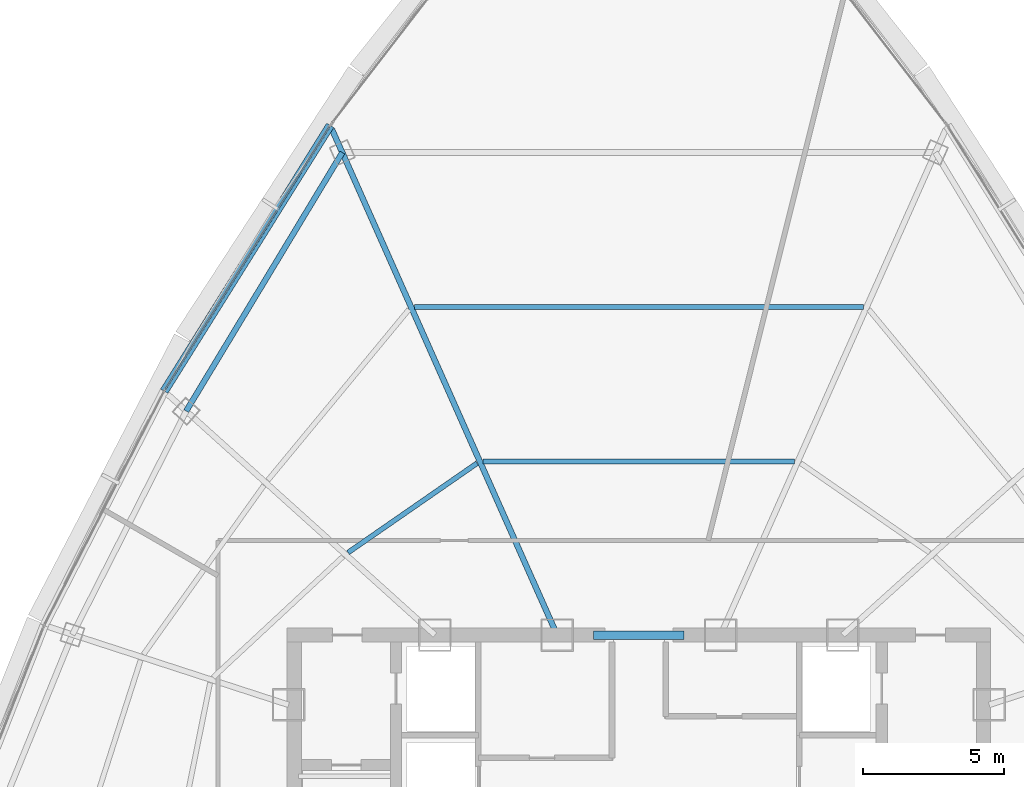
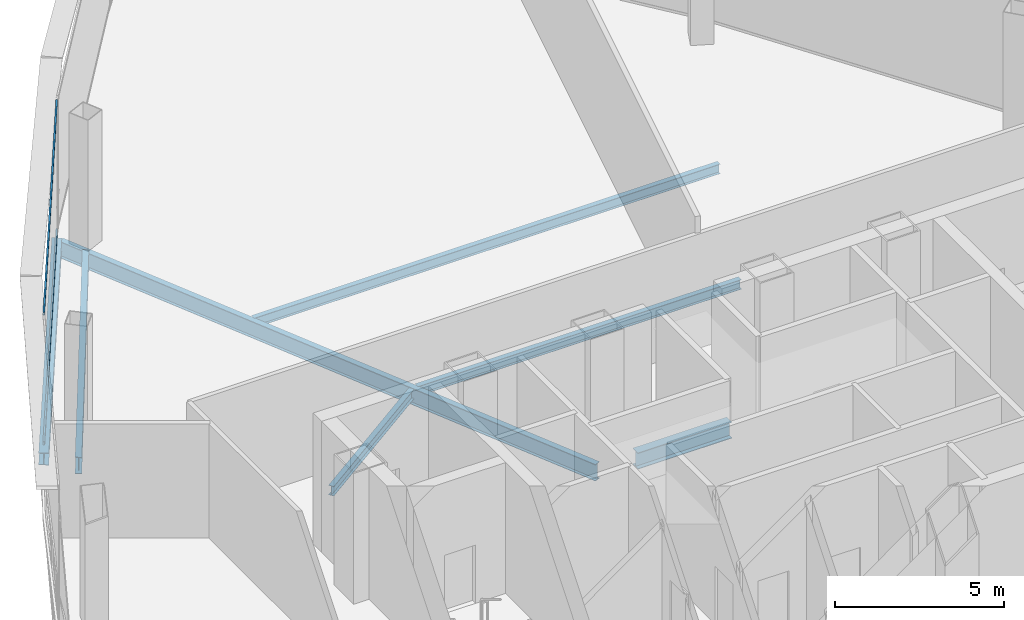
# One storey, part 9 of 29: 7 beams, 2 members, 1 element without a shape of its own.
"""IFC4 building model written with IfcOpenShell, lengths in metres."""

from ifc_helpers import new_model, si_unit, direction, frame, origin, origin_2d, place, context, subcontext, project, spatial, hollow_rectangle, i_section, extrude, source, transform, mapped, material, layer, layer_set, material_profile, profile_set, type_object, element, aggregate, save


model = new_model("IFC4")

# Units and contexts
model_context = context("Model", 3, precision=1e-05, world=origin(), true_north=direction((0.0, 1.0)))
body_context = subcontext(model_context, "Body", "Model", "MODEL_VIEW")
ifc_project = project(units=[si_unit("LENGTHUNIT", "METRE"), si_unit("AREAUNIT", "SQUARE_METRE"), si_unit("VOLUMEUNIT", "CUBIC_METRE"), si_unit("PLANEANGLEUNIT", "RADIAN"), si_unit("MASSUNIT", "GRAM", prefix="KILO"), si_unit("THERMODYNAMICTEMPERATUREUNIT", "KELVIN"), si_unit("POWERUNIT", "WATT")], contexts=[model_context])

# Site, building, storey
site_placement = place(None, origin())
site = spatial("IfcSite", under=ifc_project, at=site_placement, CompositionType="ELEMENT")
building_placement = place(site_placement, origin())
building = spatial("IfcBuilding", under=site, at=building_placement, Name="Yunzhuo Pagoda Commons", CompositionType="ELEMENT")
storey_placement = place(building_placement, frame((0.0, 0.0, 366.760009765625)))
storey = spatial("IfcBuildingStorey", under=building, at=storey_placement, Name="L92", CompositionType="ELEMENT", Elevation=366.760009765625)

# Beams
ifc_material_1 = material(Name="Structural steel Q420B", Category="steel")
ifc_material_profile_1 = material_profile(ifc_material_1, i_section(OverallWidth=0.300048828125, OverallDepth=0.587890625, WebThickness=0.011962890625, FlangeThickness=0.02001953125, at=origin_2d()), Name="Structural steel Q420B")
ifc_profile_set_1 = profile_set([ifc_material_profile_1], Name="Structural steel Q420B")
beam_type_1 = type_object("IfcBeamType", Name="B-CPL Beam HM 588x300x12x20", PredefinedType="BEAM", material=ifc_profile_set_1)
shared_shape_1 = source(origin(), body_context, "Body", "SweptSolid", [
    extrude(i_section(OverallWidth=0.300048828125, OverallDepth=0.587890625, WebThickness=0.011962890625, FlangeThickness=0.02001953125, at=origin_2d()), origin(), (0.0, 0.0, 1.0), 3.2001953125),
])
beam_1_placement = place(storey_placement, frame((46.39990234375, 40.199951171875, -0.573974609375), z_axis=(1.0, 0.0, 0.0), x_axis=(0.0, 1.0, 0.0)))
element("IfcBeam", 1, at=beam_1_placement, inside=storey, type_object=beam_type_1, Name="L92 core coupling girder", PredefinedType="BEAM", context=body_context, shape_type="MappedRepresentation", body=[
    mapped(shared_shape_1, transform((0.0, 0.0, 0.0), scale=1.0)),
])
ifc_material_2 = material(Name="Structural steel Q355B", Category="steel")
ifc_material_profile_2 = material_profile(ifc_material_2, i_section(OverallWidth=0.199951171875, OverallDepth=0.60009765625, WebThickness=0.010986328125, FlangeThickness=0.01708984375, at=origin_2d()), Name="Structural steel Q355B")
ifc_profile_set_2 = profile_set([ifc_material_profile_2], Name="Structural steel Q355B")
beam_type_2 = type_object("IfcBeamType", Name="B-RG3 Beam HN 600x200x11x17", PredefinedType="BEAM", material=ifc_profile_set_2)
shared_shape_2 = source(origin(), body_context, "Body", "SweptSolid", [
    extrude(i_section(OverallWidth=0.199951171875, OverallDepth=0.60009765625, WebThickness=0.010986328125, FlangeThickness=0.01708984375, at=origin_2d()), origin(), (0.0, 0.0, 1.0), 10.691162109375),
])
beam_2_placement = place(storey_placement, frame((37.501220703125, 57.281005859375, -0.580078125), z_axis=(-0.516864678433, -0.856067114301, 0.0), x_axis=(0.856067114301, -0.516864678433, 0.0)))
element("IfcBeam", 2, at=beam_2_placement, inside=storey, type_object=beam_type_2, Name="L92 column-ring beam 9", PredefinedType="BEAM", context=body_context, shape_type="MappedRepresentation", body=[
    mapped(shared_shape_2, transform((0.0, 0.0, 0.0), scale=1.0)),
])
ifc_material_profile_3 = material_profile(ifc_material_2, i_section(OverallWidth=0.175048828125, OverallDepth=0.35009765625, WebThickness=0.007080078125, FlangeThickness=0.010986328125, at=origin_2d()), Name="Structural steel Q355B")
ifc_profile_set_3 = profile_set([ifc_material_profile_3], Name="Structural steel Q355B")
beam_type_3 = type_object("IfcBeamType", Name="B-JS2 Joist HN 350x175x7x11", PredefinedType="JOIST", material=ifc_profile_set_3)
shared_shape_3 = source(origin(), body_context, "Body", "SweptSolid", [
    extrude(i_section(OverallWidth=0.175048828125, OverallDepth=0.35009765625, WebThickness=0.007080078125, FlangeThickness=0.010986328125, at=origin_2d()), origin(), (0.0, 0.0, 1.0), 5.556640625),
])
beam_3_placement = place(storey_placement, frame((42.273681640625, 46.28369140625, -0.455078125), z_axis=(-0.822084621883, -0.569365326011, 0.0), x_axis=(0.569365326011, -0.822084621883, 0.0)))
element("IfcBeam", 3, at=beam_3_placement, inside=storey, type_object=beam_type_3, Name="L92 composite ring joist 1.9", PredefinedType="JOIST", context=body_context, shape_type="MappedRepresentation", body=[
    mapped(shared_shape_3, transform((0.0, 0.0, 0.0), scale=1.0)),
])
shared_shape_4 = source(origin(), body_context, "Body", "SweptSolid", [
    extrude(i_section(OverallWidth=0.175048828125, OverallDepth=0.35009765625, WebThickness=0.007080078125, FlangeThickness=0.010986328125, at=origin_2d()), origin(), (0.0, 0.0, 1.0), 11.03369140625),
])
beam_4_placement = place(storey_placement, frame((53.516845703125, 46.34912109375, -0.455078125), z_axis=(-1.0, 0.0, 0.0), x_axis=(0.0, -1.0, 0.0)))
element("IfcBeam", 4, at=beam_4_placement, inside=storey, type_object=beam_type_3, Name="L92 composite ring joist 1.8", PredefinedType="JOIST", context=body_context, shape_type="MappedRepresentation", body=[
    mapped(shared_shape_4, transform((0.0, 0.0, 0.0), scale=1.0)),
])
shared_shape_5 = source(origin(), body_context, "Body", "SweptSolid", [
    extrude(i_section(OverallWidth=0.175048828125, OverallDepth=0.35009765625, WebThickness=0.007080078125, FlangeThickness=0.010986328125, at=origin_2d()), origin(), (0.0, 0.0, 1.0), 15.900390625),
])
beam_5_placement = place(storey_placement, frame((55.9501953125, 51.81494140625, -0.455078125), z_axis=(-1.0, 0.0, 0.0), x_axis=(0.0, -1.0, 0.0)))
element("IfcBeam", 5, at=beam_5_placement, inside=storey, type_object=beam_type_3, Name="L92 composite ring joist 2.8", PredefinedType="JOIST", context=body_context, shape_type="MappedRepresentation", body=[
    mapped(shared_shape_5, transform((0.0, 0.0, 0.0), scale=1.0)),
])
shared_shape_6 = source(origin(), body_context, "Body", "SweptSolid", [
    extrude(i_section(OverallWidth=0.199951171875, OverallDepth=0.60009765625, WebThickness=0.010986328125, FlangeThickness=0.01708984375, at=origin_2d()), origin(), (0.0, 0.0, 1.0), 19.59228515625),
])
beam_6_placement = place(storey_placement, frame((37.13720703125, 58.098388671875, -0.580078125), z_axis=(0.406730347382, -0.91354826064, 0.0), x_axis=(0.91354826064, 0.406730347382, 0.0)))
element("IfcBeam", 6, at=beam_6_placement, inside=storey, type_object=beam_type_2, Name="L92 radial floor girder F3C1", PredefinedType="BEAM", context=body_context, shape_type="MappedRepresentation", body=[
    mapped(shared_shape_6, transform((0.0, 0.0, 0.0), scale=1.0)),
])
ifc_material_profile_4 = material_profile(ifc_material_2, i_section(OverallWidth=0.300048828125, OverallDepth=0.43994140625, WebThickness=0.010986328125, FlangeThickness=0.01806640625, at=origin_2d()), Name="Structural steel Q355B")
ifc_profile_set_4 = profile_set([ifc_material_profile_4], Name="Structural steel Q355B")
beam_type_4 = type_object("IfcBeamType", Name="B-SP2 Beam HM 440x300x11x18", PredefinedType="BEAM", material=ifc_profile_set_4)
shared_shape_7 = source(origin(), body_context, "Body", "SweptSolid", [
    extrude(i_section(OverallWidth=0.300048828125, OverallDepth=0.43994140625, WebThickness=0.010986328125, FlangeThickness=0.01806640625, at=origin_2d()), origin(), (0.0, 0.0, 1.0), 11.094482421875),
])
beam_7_placement = place(storey_placement, frame((37.07421875, 58.239990234375, -0.5), z_axis=(-0.529915860294, -0.848050223164, 0.0), x_axis=(0.848050223164, -0.529915860294, 0.0)))
element("IfcBeam", 7, at=beam_7_placement, inside=storey, type_object=beam_type_4, Name="L92 facade edge spandrel beam F3.1", PredefinedType="BEAM", context=body_context, shape_type="MappedRepresentation", body=[
    mapped(shared_shape_7, transform((0.0, 0.0, 0.0), scale=1.0)),
])

# Curtain wall, members
ifc_material_3 = material(Name="Anodized aluminium 6063-T6", Category="aluminium")
ifc_layer = layer(ifc_material_3, 0.139892578125)
ifc_layer_set = layer_set([ifc_layer], Name="Anodized aluminium 6063-T6")
curtain_wall_type = type_object("IfcCurtainWallType", Name="CW-HI High-Zone Ribbon Curtain Wall", PredefinedType="NOTDEFINED", material=ifc_layer_set)
curtain_wall_placement = place(storey_placement, origin())
curtain_wall = element("IfcCurtainWall", 8, at=curtain_wall_placement, inside=storey, type_object=curtain_wall_type, Name="L92 curtain wall CW-L92-F3B2", PredefinedType="NOTDEFINED")
ifc_material_profile_5 = material_profile(ifc_material_3, hollow_rectangle(XDim=0.054931640625, YDim=0.1201171875, WallThickness=0.00341796875, at=origin_2d()), Name="Anodized aluminium 6063-T6")
ifc_profile_set_5 = profile_set([ifc_material_profile_5], Name="Anodized aluminium 6063-T6")
member_type = type_object("IfcMemberType", Name="CW-HI-T Transom RHS 120x55x3.5", PredefinedType="USERDEFINED", material=ifc_profile_set_5)
shared_shape_8 = source(origin(), body_context, "Body", "SweptSolid", [
    extrude(hollow_rectangle(XDim=0.054931640625, YDim=0.1201171875, WallThickness=0.00341796875, at=origin_2d()), origin(), (0.0, 0.0, 1.0), 10.974609375),
])
member_1_placement = place(storey_placement, frame((37.042236328125, 58.189208984375, 0.027587890625), z_axis=(-0.529898954441, -0.848060786785, 0.0), x_axis=(0.848060786785, -0.529898954441, 0.0)))
member_1 = element("IfcMember", 9, at=member_1_placement, type_object=member_type, Name="CW transom 1.1", ObjectType="TRANSOM", PredefinedType="USERDEFINED", context=body_context, shape_type="MappedRepresentation", body=[
    mapped(shared_shape_8, transform((0.0, 0.0, 0.0), scale=1.0)),
])
member_2_placement = place(storey_placement, frame((37.042236328125, 58.189208984375, 4.6923828125), z_axis=(-0.529898954441, -0.848060786785, 0.0), x_axis=(0.848060786785, -0.529898954441, 0.0)))
member_2 = element("IfcMember", 10, at=member_2_placement, type_object=member_type, Name="CW transom 1.2", ObjectType="TRANSOM", PredefinedType="USERDEFINED", context=body_context, shape_type="MappedRepresentation", body=[
    mapped(shared_shape_8, transform((0.0, 0.0, 0.0), scale=1.0)),
])
aggregate(curtain_wall, [member_1, member_2])

save(model, "model.ifc")
